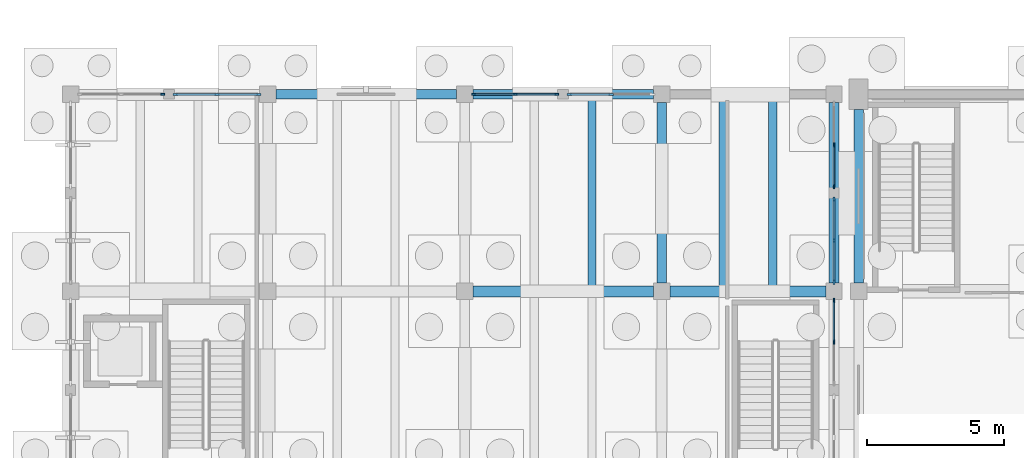
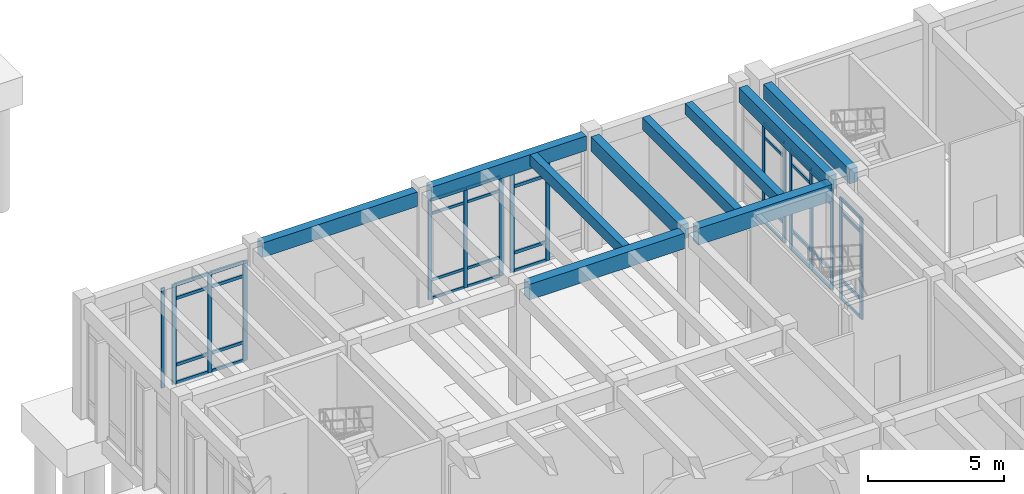
# One storey, part 29 of 93: 51 members, 10 beams, 7 elements without a shape of their own.
"""IFC4 building model written with IfcOpenShell, lengths in metres."""

from ifc_helpers import new_model, si_unit, direction, frame, origin, origin_2d, place, context, subcontext, project, spatial, rectangle, extrude, material, layer, layer_set, material_profile, profile_set, type_object, element, aggregate, save


model = new_model("IFC4")

# Units and contexts
model_context = context("Model", 3, precision=1e-05, world=origin(), true_north=direction((0.0, 1.0)))
body_context = subcontext(model_context, "Body", "Model", "MODEL_VIEW")
ifc_project = project(units=[si_unit("LENGTHUNIT", "METRE"), si_unit("AREAUNIT", "SQUARE_METRE"), si_unit("VOLUMEUNIT", "CUBIC_METRE"), si_unit("PLANEANGLEUNIT", "RADIAN"), si_unit("MASSUNIT", "GRAM", prefix="KILO")], contexts=[model_context])

# Site, building, storey
site_placement = place(None, origin())
site = spatial("IfcSite", under=ifc_project, at=site_placement, CompositionType="ELEMENT")
building_placement = place(site_placement, origin())
building = spatial("IfcBuilding", under=site, at=building_placement, Name="Koriwan Promenade Central Fire Station", CompositionType="ELEMENT")
storey_placement = place(building_placement, origin())
storey = spatial("IfcBuildingStorey", under=building, at=storey_placement, Name="L00", CompositionType="ELEMENT", Elevation=0.0)

# Beams
ifc_material_1 = material(Name="Concrete C35/45", Category="concrete")
ifc_material_profile_1 = material_profile(ifc_material_1, rectangle(XDim=0.300048828125, YDim=0.5, at=origin_2d()), Name="RC-BM-300x500")
ifc_profile_set_1 = profile_set([ifc_material_profile_1], Name="Concrete C35/45")
beam_type_1 = type_object("IfcBeamType", Name="Beam_RC-BM-300x500", PredefinedType="JOIST", material=ifc_profile_set_1)
for number, where, z_axis, x_axis, name in (
    (1, (47.85595703125, 65.0, 4.89990234375), (0.0, 1.0, 0.0), (-1.0, 0.0, 0.0), "V4 L00 secondary joist 411"),
    (2, (54.4619140625, 65.0, 4.89990234375), (0.0, 1.0, 0.0), (-1.0, 0.0, 0.0), "V4 L00 secondary joist 413"),
):
    element("IfcBeam", number, at=place(storey_placement, frame(where, z_axis=z_axis, x_axis=x_axis)), inside=storey, type_object=beam_type_1, Name=name, PredefinedType="JOIST", context=body_context, shape_type="SweptSolid", body=[
        extrude(rectangle(XDim=0.300048828125, YDim=0.5, at=origin_2d()), origin(), (0.0, 0.0, 1.0), 6.824951171875),
    ])
ifc_material_profile_2 = material_profile(ifc_material_1, rectangle(XDim=0.300048828125, YDim=0.550048828125, at=origin_2d()), Name="RC-BM-300x550")
ifc_profile_set_2 = profile_set([ifc_material_profile_2], Name="Concrete C35/45")
beam_type_2 = type_object("IfcBeamType", Name="Beam_RC-BM-300x550", PredefinedType="JOIST", material=ifc_profile_set_2)
beam_1_placement = place(storey_placement, frame((52.637939453125, 65.0, 4.875), z_axis=(0.0, 1.0, 0.0), x_axis=(-1.0, 0.0, 0.0)))
element("IfcBeam", 3, at=beam_1_placement, inside=storey, type_object=beam_type_2, Name="V4 L00 secondary joist 412", PredefinedType="JOIST", context=body_context, shape_type="SweptSolid", body=[
    extrude(rectangle(XDim=0.300048828125, YDim=0.550048828125, at=origin_2d()), origin(), (0.0, 0.0, 1.0), 6.824951171875),
])
ifc_material_profile_3 = material_profile(ifc_material_1, rectangle(XDim=0.35009765625, YDim=0.64990234375, at=origin_2d()), Name="RC-BM-350x650")
ifc_profile_set_3 = profile_set([ifc_material_profile_3], Name="Concrete C35/45")
beam_type_3 = type_object("IfcBeamType", Name="Beam_RC-BM-350x650", PredefinedType="BEAM", material=ifc_profile_set_3)
beam_2_placement = place(storey_placement, frame((57.60009765625, 65.10009765625, 4.824951171875), z_axis=(0.0, 1.0, 0.0), x_axis=(-1.0, 0.0, 0.0)))
element("IfcBeam", 4, at=beam_2_placement, inside=storey, type_object=beam_type_3, Name="V1 L00 girder Y-23", PredefinedType="BEAM", context=body_context, shape_type="SweptSolid", body=[
    extrude(rectangle(XDim=0.35009765625, YDim=0.64990234375, at=origin_2d()), origin(), (0.0, 0.0, 1.0), 6.349853515625),
])
for number, where, z_axis, x_axis, name in (
    (5, (50.39990234375, 65.10009765625, 4.824951171875), (0.0, 1.0, 0.0), (-1.0, 0.0, 0.0), "V4 L00 girder Y-377"),
    (6, (56.699951171875, 65.10009765625, 4.824951171875), (0.0, 1.0, 0.0), (-1.0, 0.0, 0.0), "V4 L00 girder Y-381"),
):
    element("IfcBeam", number, at=place(storey_placement, frame(where, z_axis=z_axis, x_axis=x_axis)), inside=storey, type_object=beam_type_3, Name=name, PredefinedType="BEAM", context=body_context, shape_type="SweptSolid", body=[
        extrude(rectangle(XDim=0.35009765625, YDim=0.64990234375, at=origin_2d()), origin(), (0.0, 0.0, 1.0), 6.599853515625),
    ])
ifc_material_profile_4 = material_profile(ifc_material_1, rectangle(XDim=0.39990234375, YDim=0.699951171875, at=origin_2d()), Name="RC-BM-400x700")
ifc_profile_set_4 = profile_set([ifc_material_profile_4], Name="Concrete C35/45")
beam_type_4 = type_object("IfcBeamType", Name="Beam_RC-BM-400x700", PredefinedType="BEAM", material=ifc_profile_set_4)
beam_3_placement = place(storey_placement, frame((43.5, 64.800048828125, 4.800048828125), z_axis=(1.0, 0.0, 0.0), x_axis=(0.0, 1.0, 0.0)))
element("IfcBeam", 7, at=beam_3_placement, inside=storey, type_object=beam_type_4, Name="V4 L00 girder X-348", PredefinedType="BEAM", context=body_context, shape_type="SweptSolid", body=[
    extrude(rectangle(XDim=0.39990234375, YDim=0.699951171875, at=origin_2d()), origin(), (0.0, 0.0, 1.0), 6.60009765625),
])
ifc_material_profile_5 = material_profile(ifc_material_1, rectangle(XDim=0.39990234375, YDim=0.75, at=origin_2d()), Name="RC-BM-400x750")
ifc_profile_set_5 = profile_set([ifc_material_profile_5], Name="Concrete C35/45")
beam_type_5 = type_object("IfcBeamType", Name="Beam_RC-BM-400x750", PredefinedType="BEAM", material=ifc_profile_set_5)
beam_4_placement = place(storey_placement, frame((50.699951171875, 64.800048828125, 4.77490234375), z_axis=(1.0, 0.0, 0.0), x_axis=(0.0, 1.0, 0.0)))
element("IfcBeam", 8, at=beam_4_placement, inside=storey, type_object=beam_type_5, Name="V4 L00 girder X-349", PredefinedType="BEAM", context=body_context, shape_type="SweptSolid", body=[
    extrude(rectangle(XDim=0.39990234375, YDim=0.75, at=origin_2d()), origin(), (0.0, 0.0, 1.0), 5.699951171875),
])
ifc_material_profile_6 = material_profile(ifc_material_1, rectangle(XDim=0.35009765625, YDim=0.64990234375, at=origin_2d()), Name="RC-SP-350x650")
ifc_profile_set_6 = profile_set([ifc_material_profile_6], Name="Concrete C35/45")
beam_type_6 = type_object("IfcBeamType", Name="Beam_RC-SP-350x650", PredefinedType="SPANDREL", material=ifc_profile_set_6)
beam_5_placement = place(storey_placement, frame((36.300048828125, 72.0, 4.824951171875), z_axis=(1.0, 0.0, 0.0), x_axis=(0.0, 1.0, 0.0)))
element("IfcBeam", 9, at=beam_5_placement, inside=storey, type_object=beam_type_6, Name="V4 L00 girder X-351", PredefinedType="SPANDREL", context=body_context, shape_type="SweptSolid", body=[
    extrude(rectangle(XDim=0.35009765625, YDim=0.64990234375, at=origin_2d()), origin(), (0.0, 0.0, 1.0), 6.599853515625),
])
beam_6_placement = place(storey_placement, frame((43.5, 72.0, 4.824951171875), z_axis=(1.0, 0.0, 0.0), x_axis=(0.0, 1.0, 0.0)))
element("IfcBeam", 10, at=beam_6_placement, inside=storey, type_object=beam_type_6, Name="V4 L00 girder X-352", PredefinedType="SPANDREL", context=body_context, shape_type="SweptSolid", body=[
    extrude(rectangle(XDim=0.35009765625, YDim=0.64990234375, at=origin_2d()), origin(), (0.0, 0.0, 1.0), 6.60009765625),
])

# Curtain wall, member
ifc_material_2 = material(Name="Aluminium EN AW-6063-T6 and low-E glazing", Category="aluminium")
ifc_layer_1 = layer(ifc_material_2, 0.159912109375, Name="Aluminium EN AW-6063-T6 and low-E glazing")
ifc_layer_set_1 = layer_set([ifc_layer_1], Name="Aluminium EN AW-6063-T6 and low-E glazing")
curtain_wall_type_1 = type_object("IfcCurtainWallType", Name="CurtainWall_24_310x449", PredefinedType="USERDEFINED", material=ifc_layer_set_1)
curtain_wall_1_placement = place(storey_placement, origin())
curtain_wall_1 = element("IfcCurtainWall", 11, at=curtain_wall_1_placement, inside=storey, type_object=curtain_wall_type_1, Name="V4 L00 unitised curtain wall 091", ObjectType="UNITISED CURTAIN WALL", PredefinedType="USERDEFINED")
ifc_material_3 = material(Name="Aluminium EN AW-6063-T6", Category="aluminium")
ifc_material_profile_7 = material_profile(ifc_material_3, rectangle(XDim=0.06494140625, YDim=0.159912109375, at=origin_2d()), Name="ALU-MUL-65x160")
ifc_profile_set_7 = profile_set([ifc_material_profile_7], Name="Aluminium EN AW-6063-T6")
member_type_1 = type_object("IfcMemberType", Name="CWMullion_ALU-MUL-65x160", PredefinedType="MULLION", material=ifc_profile_set_7)
member_1_placement = place(storey_placement, frame((32.16748046875, 72.0, 0.0), z_axis=(0.0, 0.0, 1.0), x_axis=(0.0, 1.0, 0.0)))
member_1 = element("IfcMember", 12, at=member_1_placement, type_object=member_type_1, Name="CW-24 mullion 3", PredefinedType="MULLION", context=body_context, shape_type="SweptSolid", body=[
    extrude(rectangle(XDim=0.06494140625, YDim=0.159912109375, at=origin_2d()), origin(), (0.0, 0.0, 1.0), 4.489990234375),
])
aggregate(curtain_wall_1, [member_1])

# Curtain wall, members
curtain_wall_2_placement = place(storey_placement, origin())
curtain_wall_2 = element("IfcCurtainWall", 13, at=curtain_wall_2_placement, inside=storey, type_object=curtain_wall_type_1, Name="V4 L00 unitised curtain wall 093", ObjectType="UNITISED CURTAIN WALL", PredefinedType="USERDEFINED")
member_2_placement = place(storey_placement, frame((43.532470703125, 72.0, 0.0), z_axis=(0.0, 0.0, 1.0), x_axis=(0.0, 1.0, 0.0)))
member_2 = element("IfcMember", 14, at=member_2_placement, type_object=member_type_1, Name="CW-24 mullion 1", PredefinedType="MULLION", context=body_context, shape_type="SweptSolid", body=[
    extrude(rectangle(XDim=0.06494140625, YDim=0.159912109375, at=origin_2d()), origin(), (0.0, 0.0, 1.0), 4.489990234375),
])
member_3_placement = place(storey_placement, frame((45.050048828125, 72.0, 0.0), z_axis=(0.0, 0.0, 1.0), x_axis=(0.0, 1.0, 0.0)))
member_3 = element("IfcMember", 15, at=member_3_placement, type_object=member_type_1, Name="CW-24 mullion 2", PredefinedType="MULLION", context=body_context, shape_type="SweptSolid", body=[
    extrude(rectangle(XDim=0.06494140625, YDim=0.159912109375, at=origin_2d()), origin(), (0.0, 0.0, 1.0), 4.489990234375),
])
member_4_placement = place(storey_placement, frame((46.5673828125, 72.0, 0.0), z_axis=(0.0, 0.0, 1.0), x_axis=(0.0, 1.0, 0.0)))
member_4 = element("IfcMember", 16, at=member_4_placement, type_object=member_type_1, Name="CW-24 mullion 3", PredefinedType="MULLION", context=body_context, shape_type="SweptSolid", body=[
    extrude(rectangle(XDim=0.06494140625, YDim=0.159912109375, at=origin_2d()), origin(), (0.0, 0.0, 1.0), 4.489990234375),
])

curtain_wall_3_placement = place(storey_placement, origin())
curtain_wall_3 = element("IfcCurtainWall", 17, at=curtain_wall_3_placement, inside=storey, type_object=curtain_wall_type_1, Name="V4 L00 unitised curtain wall 095", ObjectType="UNITISED CURTAIN WALL", PredefinedType="USERDEFINED")
member_5_placement = place(storey_placement, frame((56.699951171875, 70.14990234375, 0.0), z_axis=(0.0, 0.0, 1.0), x_axis=(1.0, 0.0, 0.0)))
member_5 = element("IfcMember", 18, at=member_5_placement, type_object=member_type_1, Name="CW-24 mullion 2", PredefinedType="MULLION", context=body_context, shape_type="SweptSolid", body=[
    extrude(rectangle(XDim=0.06494140625, YDim=0.159912109375, at=origin_2d()), origin(), (0.0, 0.0, 1.0), 4.489990234375),
])
member_6_placement = place(storey_placement, frame((56.699951171875, 68.632568359375, 0.0), z_axis=(0.0, 0.0, 1.0), x_axis=(1.0, 0.0, 0.0)))
member_6 = element("IfcMember", 19, at=member_6_placement, type_object=member_type_1, Name="CW-24 mullion 3", PredefinedType="MULLION", context=body_context, shape_type="SweptSolid", body=[
    extrude(rectangle(XDim=0.06494140625, YDim=0.159912109375, at=origin_2d()), origin(), (0.0, 0.0, 1.0), 4.489990234375),
])

ifc_layer_2 = layer(ifc_material_2, 0.159912109375, Name="Aluminium EN AW-6063-T6 and low-E glazing")
ifc_layer_set_2 = layer_set([ifc_layer_2], Name="Aluminium EN AW-6063-T6 and low-E glazing")
curtain_wall_type_2 = type_object("IfcCurtainWallType", Name="CurtainWall_33_310x454", PredefinedType="USERDEFINED", material=ifc_layer_set_2)
curtain_wall_4_placement = place(storey_placement, origin())
curtain_wall_4 = element("IfcCurtainWall", 20, at=curtain_wall_4_placement, inside=storey, type_object=curtain_wall_type_2, Name="V4 L00 unitised curtain wall 097", ObjectType="UNITISED CURTAIN WALL", PredefinedType="USERDEFINED")
member_7_placement = place(storey_placement, frame((56.699951171875, 64.467529296875, 0.0), z_axis=(0.0, 0.0, 1.0), x_axis=(1.0, 0.0, 0.0)))
member_7 = element("IfcMember", 21, at=member_7_placement, type_object=member_type_1, Name="CW-33 mullion 1", PredefinedType="MULLION", context=body_context, shape_type="SweptSolid", body=[
    extrude(rectangle(XDim=0.06494140625, YDim=0.159912109375, at=origin_2d()), origin(), (0.0, 0.0, 1.0), 4.5400390625),
])
member_8_placement = place(storey_placement, frame((56.699951171875, 62.949951171875, 0.0), z_axis=(0.0, 0.0, 1.0), x_axis=(1.0, 0.0, 0.0)))
member_8 = element("IfcMember", 22, at=member_8_placement, type_object=member_type_1, Name="CW-33 mullion 2", PredefinedType="MULLION", context=body_context, shape_type="SweptSolid", body=[
    extrude(rectangle(XDim=0.06494140625, YDim=0.159912109375, at=origin_2d()), origin(), (0.0, 0.0, 1.0), 4.5400390625),
])

ifc_layer_3 = layer(ifc_material_2, 0.159912109375, Name="Aluminium EN AW-6063-T6 and low-E glazing")
ifc_layer_set_3 = layer_set([ifc_layer_3], Name="Aluminium EN AW-6063-T6 and low-E glazing")
curtain_wall_type_3 = type_object("IfcCurtainWallType", Name="CurtainWall_39_310x449", PredefinedType="USERDEFINED", material=ifc_layer_set_3)
curtain_wall_5_placement = place(storey_placement, origin())
curtain_wall_5 = element("IfcCurtainWall", 23, at=curtain_wall_5_placement, inside=storey, type_object=curtain_wall_type_3, Name="V4 L00 unitised curtain wall 092", ObjectType="UNITISED CURTAIN WALL", PredefinedType="USERDEFINED")
ifc_material_profile_8 = material_profile(ifc_material_3, rectangle(XDim=0.074951171875, YDim=0.179931640625, at=origin_2d()), Name="ALU-MUL-75x180")
ifc_profile_set_8 = profile_set([ifc_material_profile_8], Name="Aluminium EN AW-6063-T6")
member_type_2 = type_object("IfcMemberType", Name="CWMullion_ALU-MUL-75x180", PredefinedType="MULLION", material=ifc_profile_set_8)
member_9_placement = place(storey_placement, frame((32.637451171875, 72.0, 0.0), z_axis=(0.0, 0.0, 1.0), x_axis=(0.0, 1.0, 0.0)))
member_9 = element("IfcMember", 24, at=member_9_placement, type_object=member_type_2, Name="CW-39 mullion 1", PredefinedType="MULLION", context=body_context, shape_type="SweptSolid", body=[
    extrude(rectangle(XDim=0.074951171875, YDim=0.179931640625, at=origin_2d()), origin(), (0.0, 0.0, 1.0), 4.489990234375),
])
member_10_placement = place(storey_placement, frame((34.14990234375, 72.0, 0.0), z_axis=(0.0, 0.0, 1.0), x_axis=(0.0, 1.0, 0.0)))
member_10 = element("IfcMember", 25, at=member_10_placement, type_object=member_type_2, Name="CW-39 mullion 2", PredefinedType="MULLION", context=body_context, shape_type="SweptSolid", body=[
    extrude(rectangle(XDim=0.074951171875, YDim=0.179931640625, at=origin_2d()), origin(), (0.0, 0.0, 1.0), 4.489990234375),
])
member_11_placement = place(storey_placement, frame((35.66259765625, 72.0, 0.0), z_axis=(0.0, 0.0, 1.0), x_axis=(0.0, 1.0, 0.0)))
member_11 = element("IfcMember", 26, at=member_11_placement, type_object=member_type_2, Name="CW-39 mullion 3", PredefinedType="MULLION", context=body_context, shape_type="SweptSolid", body=[
    extrude(rectangle(XDim=0.074951171875, YDim=0.179931640625, at=origin_2d()), origin(), (0.0, 0.0, 1.0), 4.489990234375),
])

curtain_wall_6_placement = place(storey_placement, origin())
curtain_wall_6 = element("IfcCurtainWall", 27, at=curtain_wall_6_placement, inside=storey, type_object=curtain_wall_type_3, Name="V4 L00 unitised curtain wall 094", ObjectType="UNITISED CURTAIN WALL", PredefinedType="USERDEFINED")
member_12_placement = place(storey_placement, frame((47.03759765625, 72.0, 0.0), z_axis=(0.0, 0.0, 1.0), x_axis=(0.0, 1.0, 0.0)))
member_12 = element("IfcMember", 28, at=member_12_placement, type_object=member_type_2, Name="CW-39 mullion 1", PredefinedType="MULLION", context=body_context, shape_type="SweptSolid", body=[
    extrude(rectangle(XDim=0.074951171875, YDim=0.179931640625, at=origin_2d()), origin(), (0.0, 0.0, 1.0), 4.489990234375),
])
member_13_placement = place(storey_placement, frame((48.550048828125, 72.0, 0.0), z_axis=(0.0, 0.0, 1.0), x_axis=(0.0, 1.0, 0.0)))
member_13 = element("IfcMember", 29, at=member_13_placement, type_object=member_type_2, Name="CW-39 mullion 2", PredefinedType="MULLION", context=body_context, shape_type="SweptSolid", body=[
    extrude(rectangle(XDim=0.074951171875, YDim=0.179931640625, at=origin_2d()), origin(), (0.0, 0.0, 1.0), 4.489990234375),
])

curtain_wall_7_placement = place(storey_placement, origin())
curtain_wall_7 = element("IfcCurtainWall", 30, at=curtain_wall_7_placement, inside=storey, type_object=curtain_wall_type_3, Name="V4 L00 unitised curtain wall 096", ObjectType="UNITISED CURTAIN WALL", PredefinedType="USERDEFINED")
member_14_placement = place(storey_placement, frame((56.699951171875, 68.16259765625, 0.0), z_axis=(0.0, 0.0, 1.0), x_axis=(1.0, 0.0, 0.0)))
member_14 = element("IfcMember", 31, at=member_14_placement, type_object=member_type_2, Name="CW-39 mullion 1", PredefinedType="MULLION", context=body_context, shape_type="SweptSolid", body=[
    extrude(rectangle(XDim=0.074951171875, YDim=0.179931640625, at=origin_2d()), origin(), (0.0, 0.0, 1.0), 4.489990234375),
])
member_15_placement = place(storey_placement, frame((56.699951171875, 66.64990234375, 0.0), z_axis=(0.0, 0.0, 1.0), x_axis=(1.0, 0.0, 0.0)))
member_15 = element("IfcMember", 32, at=member_15_placement, type_object=member_type_2, Name="CW-39 mullion 2", PredefinedType="MULLION", context=body_context, shape_type="SweptSolid", body=[
    extrude(rectangle(XDim=0.074951171875, YDim=0.179931640625, at=origin_2d()), origin(), (0.0, 0.0, 1.0), 4.489990234375),
])
member_16_placement = place(storey_placement, frame((56.699951171875, 65.137451171875, 0.0), z_axis=(0.0, 0.0, 1.0), x_axis=(1.0, 0.0, 0.0)))
member_16 = element("IfcMember", 33, at=member_16_placement, type_object=member_type_2, Name="CW-39 mullion 3", PredefinedType="MULLION", context=body_context, shape_type="SweptSolid", body=[
    extrude(rectangle(XDim=0.074951171875, YDim=0.179931640625, at=origin_2d()), origin(), (0.0, 0.0, 1.0), 4.489990234375),
])

# Member
ifc_material_profile_9 = material_profile(ifc_material_3, rectangle(XDim=0.06494140625, YDim=0.1201171875, at=origin_2d()), Name="ALU-TRN-65x120")
ifc_profile_set_9 = profile_set([ifc_material_profile_9], Name="Aluminium EN AW-6063-T6")
member_type_3 = type_object("IfcMemberType", Name="CWTransom_ALU-TRN-65x120", PredefinedType="USERDEFINED", material=ifc_profile_set_9)
member_17_placement = place(storey_placement, frame((43.56494140625, 72.0, 0.032470703125), z_axis=(1.0, 0.0, 0.0), x_axis=(0.0, 1.0, 0.0)))
member_17 = element("IfcMember", 34, at=member_17_placement, type_object=member_type_3, Name="CW-24 transom 1.1", ObjectType="TRANSOM", PredefinedType="USERDEFINED", context=body_context, shape_type="SweptSolid", body=[
    extrude(rectangle(XDim=0.06494140625, YDim=0.1201171875, at=origin_2d()), origin(), (0.0, 0.0, 1.0), 1.45263671875),
])

member_18_placement = place(storey_placement, frame((43.56494140625, 72.0, 0.85009765625), z_axis=(1.0, 0.0, 0.0), x_axis=(0.0, 1.0, 0.0)))
member_18 = element("IfcMember", 35, at=member_18_placement, type_object=member_type_3, Name="CW-24 transom 1.2", ObjectType="TRANSOM", PredefinedType="USERDEFINED", context=body_context, shape_type="SweptSolid", body=[
    extrude(rectangle(XDim=0.06494140625, YDim=0.1201171875, at=origin_2d()), origin(), (0.0, 0.0, 1.0), 1.45263671875),
])

member_19_placement = place(storey_placement, frame((43.56494140625, 72.0, 3.840087890625), z_axis=(1.0, 0.0, 0.0), x_axis=(0.0, 1.0, 0.0)))
member_19 = element("IfcMember", 36, at=member_19_placement, type_object=member_type_3, Name="CW-24 transom 1.3", ObjectType="TRANSOM", PredefinedType="USERDEFINED", context=body_context, shape_type="SweptSolid", body=[
    extrude(rectangle(XDim=0.06494140625, YDim=0.1201171875, at=origin_2d()), origin(), (0.0, 0.0, 1.0), 1.45263671875),
])

member_20_placement = place(storey_placement, frame((43.56494140625, 72.0, 4.45751953125), z_axis=(1.0, 0.0, 0.0), x_axis=(0.0, 1.0, 0.0)))
member_20 = element("IfcMember", 37, at=member_20_placement, type_object=member_type_3, Name="CW-24 transom 1.4", ObjectType="TRANSOM", PredefinedType="USERDEFINED", context=body_context, shape_type="SweptSolid", body=[
    extrude(rectangle(XDim=0.06494140625, YDim=0.1201171875, at=origin_2d()), origin(), (0.0, 0.0, 1.0), 1.45263671875),
])

member_21_placement = place(storey_placement, frame((45.08251953125, 72.0, 0.032470703125), z_axis=(1.0, 0.0, 0.0), x_axis=(0.0, 1.0, 0.0)))
member_21 = element("IfcMember", 38, at=member_21_placement, type_object=member_type_3, Name="CW-24 transom 2.1", ObjectType="TRANSOM", PredefinedType="USERDEFINED", context=body_context, shape_type="SweptSolid", body=[
    extrude(rectangle(XDim=0.06494140625, YDim=0.1201171875, at=origin_2d()), origin(), (0.0, 0.0, 1.0), 1.452392578125),
])

member_22_placement = place(storey_placement, frame((45.08251953125, 72.0, 0.85009765625), z_axis=(1.0, 0.0, 0.0), x_axis=(0.0, 1.0, 0.0)))
member_22 = element("IfcMember", 39, at=member_22_placement, type_object=member_type_3, Name="CW-24 transom 2.2", ObjectType="TRANSOM", PredefinedType="USERDEFINED", context=body_context, shape_type="SweptSolid", body=[
    extrude(rectangle(XDim=0.06494140625, YDim=0.1201171875, at=origin_2d()), origin(), (0.0, 0.0, 1.0), 1.452392578125),
])

member_23_placement = place(storey_placement, frame((45.08251953125, 72.0, 3.840087890625), z_axis=(1.0, 0.0, 0.0), x_axis=(0.0, 1.0, 0.0)))
member_23 = element("IfcMember", 40, at=member_23_placement, type_object=member_type_3, Name="CW-24 transom 2.3", ObjectType="TRANSOM", PredefinedType="USERDEFINED", context=body_context, shape_type="SweptSolid", body=[
    extrude(rectangle(XDim=0.06494140625, YDim=0.1201171875, at=origin_2d()), origin(), (0.0, 0.0, 1.0), 1.452392578125),
])

member_24_placement = place(storey_placement, frame((45.08251953125, 72.0, 4.45751953125), z_axis=(1.0, 0.0, 0.0), x_axis=(0.0, 1.0, 0.0)))
member_24 = element("IfcMember", 41, at=member_24_placement, type_object=member_type_3, Name="CW-24 transom 2.4", ObjectType="TRANSOM", PredefinedType="USERDEFINED", context=body_context, shape_type="SweptSolid", body=[
    extrude(rectangle(XDim=0.06494140625, YDim=0.1201171875, at=origin_2d()), origin(), (0.0, 0.0, 1.0), 1.452392578125),
])

aggregate(curtain_wall_2, [member_2, member_3, member_4, member_17, member_18, member_19, member_20, member_21, member_22, member_23, member_24])

member_25_placement = place(storey_placement, frame((56.699951171875, 70.117431640625, 0.032470703125), z_axis=(0.0, -1.0, 0.0), x_axis=(1.0, 0.0, 0.0)))
member_25 = element("IfcMember", 42, at=member_25_placement, type_object=member_type_3, Name="CW-24 transom 2.1", ObjectType="TRANSOM", PredefinedType="USERDEFINED", context=body_context, shape_type="SweptSolid", body=[
    extrude(rectangle(XDim=0.06494140625, YDim=0.1201171875, at=origin_2d()), origin(), (0.0, 0.0, 1.0), 1.452392578125),
])

member_26_placement = place(storey_placement, frame((56.699951171875, 70.117431640625, 0.85009765625), z_axis=(0.0, -1.0, 0.0), x_axis=(1.0, 0.0, 0.0)))
member_26 = element("IfcMember", 43, at=member_26_placement, type_object=member_type_3, Name="CW-24 transom 2.2", ObjectType="TRANSOM", PredefinedType="USERDEFINED", context=body_context, shape_type="SweptSolid", body=[
    extrude(rectangle(XDim=0.06494140625, YDim=0.1201171875, at=origin_2d()), origin(), (0.0, 0.0, 1.0), 1.452392578125),
])

member_27_placement = place(storey_placement, frame((56.699951171875, 70.117431640625, 3.840087890625), z_axis=(0.0, -1.0, 0.0), x_axis=(1.0, 0.0, 0.0)))
member_27 = element("IfcMember", 44, at=member_27_placement, type_object=member_type_3, Name="CW-24 transom 2.3", ObjectType="TRANSOM", PredefinedType="USERDEFINED", context=body_context, shape_type="SweptSolid", body=[
    extrude(rectangle(XDim=0.06494140625, YDim=0.1201171875, at=origin_2d()), origin(), (0.0, 0.0, 1.0), 1.452392578125),
])

member_28_placement = place(storey_placement, frame((56.699951171875, 70.117431640625, 4.45751953125), z_axis=(0.0, -1.0, 0.0), x_axis=(1.0, 0.0, 0.0)))
member_28 = element("IfcMember", 45, at=member_28_placement, type_object=member_type_3, Name="CW-24 transom 2.4", ObjectType="TRANSOM", PredefinedType="USERDEFINED", context=body_context, shape_type="SweptSolid", body=[
    extrude(rectangle(XDim=0.06494140625, YDim=0.1201171875, at=origin_2d()), origin(), (0.0, 0.0, 1.0), 1.452392578125),
])

aggregate(curtain_wall_3, [member_5, member_6, member_25, member_26, member_27, member_28])

member_29_placement = place(storey_placement, frame((56.699951171875, 64.43505859375, 0.032470703125), z_axis=(0.0, -1.0, 0.0), x_axis=(1.0, 0.0, 0.0)))
member_29 = element("IfcMember", 46, at=member_29_placement, type_object=member_type_3, Name="CW-33 transom 1.1", ObjectType="TRANSOM", PredefinedType="USERDEFINED", context=body_context, shape_type="SweptSolid", body=[
    extrude(rectangle(XDim=0.06494140625, YDim=0.1201171875, at=origin_2d()), origin(), (0.0, 0.0, 1.0), 1.45263671875),
])

member_30_placement = place(storey_placement, frame((56.699951171875, 64.43505859375, 0.85009765625), z_axis=(0.0, -1.0, 0.0), x_axis=(1.0, 0.0, 0.0)))
member_30 = element("IfcMember", 47, at=member_30_placement, type_object=member_type_3, Name="CW-33 transom 1.2", ObjectType="TRANSOM", PredefinedType="USERDEFINED", context=body_context, shape_type="SweptSolid", body=[
    extrude(rectangle(XDim=0.06494140625, YDim=0.1201171875, at=origin_2d()), origin(), (0.0, 0.0, 1.0), 1.45263671875),
])

member_31_placement = place(storey_placement, frame((56.699951171875, 64.43505859375, 3.889892578125), z_axis=(0.0, -1.0, 0.0), x_axis=(1.0, 0.0, 0.0)))
member_31 = element("IfcMember", 48, at=member_31_placement, type_object=member_type_3, Name="CW-33 transom 1.3", ObjectType="TRANSOM", PredefinedType="USERDEFINED", context=body_context, shape_type="SweptSolid", body=[
    extrude(rectangle(XDim=0.06494140625, YDim=0.1201171875, at=origin_2d()), origin(), (0.0, 0.0, 1.0), 1.45263671875),
])

member_32_placement = place(storey_placement, frame((56.699951171875, 64.43505859375, 4.507568359375), z_axis=(0.0, -1.0, 0.0), x_axis=(1.0, 0.0, 0.0)))
member_32 = element("IfcMember", 49, at=member_32_placement, type_object=member_type_3, Name="CW-33 transom 1.4", ObjectType="TRANSOM", PredefinedType="USERDEFINED", context=body_context, shape_type="SweptSolid", body=[
    extrude(rectangle(XDim=0.06494140625, YDim=0.1201171875, at=origin_2d()), origin(), (0.0, 0.0, 1.0), 1.45263671875),
])

aggregate(curtain_wall_4, [member_7, member_8, member_29, member_30, member_31, member_32])

ifc_material_profile_10 = material_profile(ifc_material_3, rectangle(XDim=0.074951171875, YDim=0.139892578125, at=origin_2d()), Name="ALU-TRN-75x140")
ifc_profile_set_10 = profile_set([ifc_material_profile_10], Name="Aluminium EN AW-6063-T6")
member_type_4 = type_object("IfcMemberType", Name="CWTransom_ALU-TRN-75x140", PredefinedType="USERDEFINED", material=ifc_profile_set_10)
member_33_placement = place(storey_placement, frame((32.675048828125, 72.0, 0.03759765625), z_axis=(1.0, 0.0, 0.0), x_axis=(0.0, 1.0, 0.0)))
member_33 = element("IfcMember", 50, at=member_33_placement, type_object=member_type_4, Name="CW-39 transom 1.1", ObjectType="TRANSOM", PredefinedType="USERDEFINED", context=body_context, shape_type="SweptSolid", body=[
    extrude(rectangle(XDim=0.074951171875, YDim=0.139892578125, at=origin_2d()), origin(), (0.0, 0.0, 1.0), 1.4375),
])

member_34_placement = place(storey_placement, frame((32.675048828125, 72.0, 0.85009765625), z_axis=(1.0, 0.0, 0.0), x_axis=(0.0, 1.0, 0.0)))
member_34 = element("IfcMember", 51, at=member_34_placement, type_object=member_type_4, Name="CW-39 transom 1.2", ObjectType="TRANSOM", PredefinedType="USERDEFINED", context=body_context, shape_type="SweptSolid", body=[
    extrude(rectangle(XDim=0.074951171875, YDim=0.139892578125, at=origin_2d()), origin(), (0.0, 0.0, 1.0), 1.4375),
])

member_35_placement = place(storey_placement, frame((32.675048828125, 72.0, 3.840087890625), z_axis=(1.0, 0.0, 0.0), x_axis=(0.0, 1.0, 0.0)))
member_35 = element("IfcMember", 52, at=member_35_placement, type_object=member_type_4, Name="CW-39 transom 1.3", ObjectType="TRANSOM", PredefinedType="USERDEFINED", context=body_context, shape_type="SweptSolid", body=[
    extrude(rectangle(XDim=0.074951171875, YDim=0.139892578125, at=origin_2d()), origin(), (0.0, 0.0, 1.0), 1.4375),
])

member_36_placement = place(storey_placement, frame((32.675048828125, 72.0, 4.452392578125), z_axis=(1.0, 0.0, 0.0), x_axis=(0.0, 1.0, 0.0)))
member_36 = element("IfcMember", 53, at=member_36_placement, type_object=member_type_4, Name="CW-39 transom 1.4", ObjectType="TRANSOM", PredefinedType="USERDEFINED", context=body_context, shape_type="SweptSolid", body=[
    extrude(rectangle(XDim=0.074951171875, YDim=0.139892578125, at=origin_2d()), origin(), (0.0, 0.0, 1.0), 1.4375),
])

member_37_placement = place(storey_placement, frame((34.1875, 72.0, 0.03759765625), z_axis=(1.0, 0.0, 0.0), x_axis=(0.0, 1.0, 0.0)))
member_37 = element("IfcMember", 54, at=member_37_placement, type_object=member_type_4, Name="CW-39 transom 2.1", ObjectType="TRANSOM", PredefinedType="USERDEFINED", context=body_context, shape_type="SweptSolid", body=[
    extrude(rectangle(XDim=0.074951171875, YDim=0.139892578125, at=origin_2d()), origin(), (0.0, 0.0, 1.0), 1.4375),
])

member_38_placement = place(storey_placement, frame((34.1875, 72.0, 0.85009765625), z_axis=(1.0, 0.0, 0.0), x_axis=(0.0, 1.0, 0.0)))
member_38 = element("IfcMember", 55, at=member_38_placement, type_object=member_type_4, Name="CW-39 transom 2.2", ObjectType="TRANSOM", PredefinedType="USERDEFINED", context=body_context, shape_type="SweptSolid", body=[
    extrude(rectangle(XDim=0.074951171875, YDim=0.139892578125, at=origin_2d()), origin(), (0.0, 0.0, 1.0), 1.4375),
])

member_39_placement = place(storey_placement, frame((34.1875, 72.0, 3.840087890625), z_axis=(1.0, 0.0, 0.0), x_axis=(0.0, 1.0, 0.0)))
member_39 = element("IfcMember", 56, at=member_39_placement, type_object=member_type_4, Name="CW-39 transom 2.3", ObjectType="TRANSOM", PredefinedType="USERDEFINED", context=body_context, shape_type="SweptSolid", body=[
    extrude(rectangle(XDim=0.074951171875, YDim=0.139892578125, at=origin_2d()), origin(), (0.0, 0.0, 1.0), 1.4375),
])

member_40_placement = place(storey_placement, frame((34.1875, 72.0, 4.452392578125), z_axis=(1.0, 0.0, 0.0), x_axis=(0.0, 1.0, 0.0)))
member_40 = element("IfcMember", 57, at=member_40_placement, type_object=member_type_4, Name="CW-39 transom 2.4", ObjectType="TRANSOM", PredefinedType="USERDEFINED", context=body_context, shape_type="SweptSolid", body=[
    extrude(rectangle(XDim=0.074951171875, YDim=0.139892578125, at=origin_2d()), origin(), (0.0, 0.0, 1.0), 1.4375),
])

aggregate(curtain_wall_5, [member_9, member_10, member_11, member_33, member_34, member_35, member_36, member_37, member_38, member_39, member_40])

member_41_placement = place(storey_placement, frame((47.074951171875, 72.0, 0.03759765625), z_axis=(1.0, 0.0, 0.0), x_axis=(0.0, 1.0, 0.0)))
member_41 = element("IfcMember", 58, at=member_41_placement, type_object=member_type_4, Name="CW-39 transom 1.1", ObjectType="TRANSOM", PredefinedType="USERDEFINED", context=body_context, shape_type="SweptSolid", body=[
    extrude(rectangle(XDim=0.074951171875, YDim=0.139892578125, at=origin_2d()), origin(), (0.0, 0.0, 1.0), 1.4375),
])

member_42_placement = place(storey_placement, frame((47.074951171875, 72.0, 0.85009765625), z_axis=(1.0, 0.0, 0.0), x_axis=(0.0, 1.0, 0.0)))
member_42 = element("IfcMember", 59, at=member_42_placement, type_object=member_type_4, Name="CW-39 transom 1.2", ObjectType="TRANSOM", PredefinedType="USERDEFINED", context=body_context, shape_type="SweptSolid", body=[
    extrude(rectangle(XDim=0.074951171875, YDim=0.139892578125, at=origin_2d()), origin(), (0.0, 0.0, 1.0), 1.4375),
])

member_43_placement = place(storey_placement, frame((47.074951171875, 72.0, 3.840087890625), z_axis=(1.0, 0.0, 0.0), x_axis=(0.0, 1.0, 0.0)))
member_43 = element("IfcMember", 60, at=member_43_placement, type_object=member_type_4, Name="CW-39 transom 1.3", ObjectType="TRANSOM", PredefinedType="USERDEFINED", context=body_context, shape_type="SweptSolid", body=[
    extrude(rectangle(XDim=0.074951171875, YDim=0.139892578125, at=origin_2d()), origin(), (0.0, 0.0, 1.0), 1.4375),
])

aggregate(curtain_wall_6, [member_12, member_13, member_41, member_42, member_43])

member_44_placement = place(storey_placement, frame((56.699951171875, 68.125, 0.03759765625), z_axis=(0.0, -1.0, 0.0), x_axis=(1.0, 0.0, 0.0)))
member_44 = element("IfcMember", 61, at=member_44_placement, type_object=member_type_4, Name="CW-39 transom 1.1", ObjectType="TRANSOM", PredefinedType="USERDEFINED", context=body_context, shape_type="SweptSolid", body=[
    extrude(rectangle(XDim=0.074951171875, YDim=0.139892578125, at=origin_2d()), origin(), (0.0, 0.0, 1.0), 1.4375),
])

member_45_placement = place(storey_placement, frame((56.699951171875, 68.125, 0.85009765625), z_axis=(0.0, -1.0, 0.0), x_axis=(1.0, 0.0, 0.0)))
member_45 = element("IfcMember", 62, at=member_45_placement, type_object=member_type_4, Name="CW-39 transom 1.2", ObjectType="TRANSOM", PredefinedType="USERDEFINED", context=body_context, shape_type="SweptSolid", body=[
    extrude(rectangle(XDim=0.074951171875, YDim=0.139892578125, at=origin_2d()), origin(), (0.0, 0.0, 1.0), 1.4375),
])

member_46_placement = place(storey_placement, frame((56.699951171875, 68.125, 3.840087890625), z_axis=(0.0, -1.0, 0.0), x_axis=(1.0, 0.0, 0.0)))
member_46 = element("IfcMember", 63, at=member_46_placement, type_object=member_type_4, Name="CW-39 transom 1.3", ObjectType="TRANSOM", PredefinedType="USERDEFINED", context=body_context, shape_type="SweptSolid", body=[
    extrude(rectangle(XDim=0.074951171875, YDim=0.139892578125, at=origin_2d()), origin(), (0.0, 0.0, 1.0), 1.4375),
])

member_47_placement = place(storey_placement, frame((56.699951171875, 68.125, 4.452392578125), z_axis=(0.0, -1.0, 0.0), x_axis=(1.0, 0.0, 0.0)))
member_47 = element("IfcMember", 64, at=member_47_placement, type_object=member_type_4, Name="CW-39 transom 1.4", ObjectType="TRANSOM", PredefinedType="USERDEFINED", context=body_context, shape_type="SweptSolid", body=[
    extrude(rectangle(XDim=0.074951171875, YDim=0.139892578125, at=origin_2d()), origin(), (0.0, 0.0, 1.0), 1.4375),
])

member_48_placement = place(storey_placement, frame((56.699951171875, 66.612548828125, 0.03759765625), z_axis=(0.0, -1.0, 0.0), x_axis=(1.0, 0.0, 0.0)))
member_48 = element("IfcMember", 65, at=member_48_placement, type_object=member_type_4, Name="CW-39 transom 2.1", ObjectType="TRANSOM", PredefinedType="USERDEFINED", context=body_context, shape_type="SweptSolid", body=[
    extrude(rectangle(XDim=0.074951171875, YDim=0.139892578125, at=origin_2d()), origin(), (0.0, 0.0, 1.0), 1.4375),
])

member_49_placement = place(storey_placement, frame((56.699951171875, 66.612548828125, 0.85009765625), z_axis=(0.0, -1.0, 0.0), x_axis=(1.0, 0.0, 0.0)))
member_49 = element("IfcMember", 66, at=member_49_placement, type_object=member_type_4, Name="CW-39 transom 2.2", ObjectType="TRANSOM", PredefinedType="USERDEFINED", context=body_context, shape_type="SweptSolid", body=[
    extrude(rectangle(XDim=0.074951171875, YDim=0.139892578125, at=origin_2d()), origin(), (0.0, 0.0, 1.0), 1.4375),
])

member_50_placement = place(storey_placement, frame((56.699951171875, 66.612548828125, 3.840087890625), z_axis=(0.0, -1.0, 0.0), x_axis=(1.0, 0.0, 0.0)))
member_50 = element("IfcMember", 67, at=member_50_placement, type_object=member_type_4, Name="CW-39 transom 2.3", ObjectType="TRANSOM", PredefinedType="USERDEFINED", context=body_context, shape_type="SweptSolid", body=[
    extrude(rectangle(XDim=0.074951171875, YDim=0.139892578125, at=origin_2d()), origin(), (0.0, 0.0, 1.0), 1.4375),
])

member_51_placement = place(storey_placement, frame((56.699951171875, 66.612548828125, 4.452392578125), z_axis=(0.0, -1.0, 0.0), x_axis=(1.0, 0.0, 0.0)))
member_51 = element("IfcMember", 68, at=member_51_placement, type_object=member_type_4, Name="CW-39 transom 2.4", ObjectType="TRANSOM", PredefinedType="USERDEFINED", context=body_context, shape_type="SweptSolid", body=[
    extrude(rectangle(XDim=0.074951171875, YDim=0.139892578125, at=origin_2d()), origin(), (0.0, 0.0, 1.0), 1.4375),
])

aggregate(curtain_wall_7, [member_14, member_15, member_16, member_44, member_45, member_46, member_47, member_48, member_49, member_50, member_51])

save(model, "model.ifc")
